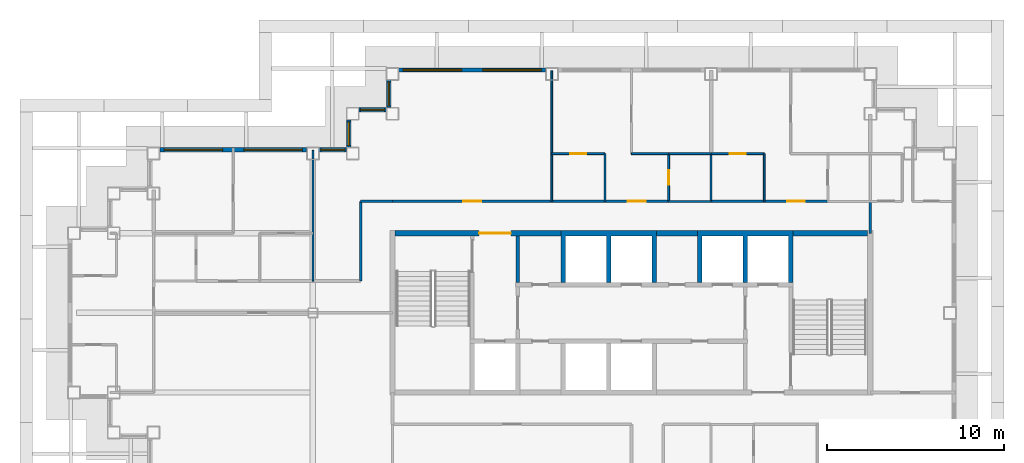
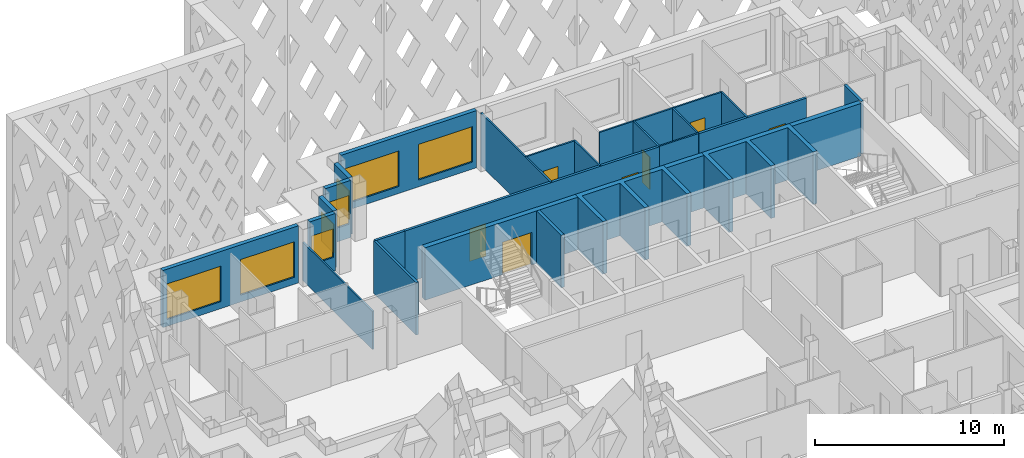
# One storey, part 6 of 17: 28 walls, 8 windows, 7 doors, 15 openings.
"""IFC4 building model written with IfcOpenShell, lengths in metres."""

from ifc_helpers import new_model, si_unit, direction, frame, frame_2d, origin, place, context, subcontext, project, spatial, polyline, rectangle, outline, extrude, material, layer, layer_set, type_object, element, fill, save


model = new_model("IFC4")

# Units and contexts
model_context = context("Model", 3, precision=1e-05, world=origin(), true_north=direction((0.0, 1.0)))
body_context = subcontext(model_context, "Body", "Model", "MODEL_VIEW")
ifc_project = project(units=[si_unit("LENGTHUNIT", "METRE"), si_unit("AREAUNIT", "SQUARE_METRE"), si_unit("VOLUMEUNIT", "CUBIC_METRE"), si_unit("PLANEANGLEUNIT", "RADIAN"), si_unit("MASSUNIT", "GRAM", prefix="KILO")], contexts=[model_context])

# Site, building, storey
site_placement = place(None, origin())
site = spatial("IfcSite", under=ifc_project, at=site_placement, CompositionType="ELEMENT")
building_placement = place(site_placement, origin())
building = spatial("IfcBuilding", under=site, at=building_placement, Name="Caravel Reach Hotel and Residences", CompositionType="ELEMENT")
storey_placement = place(building_placement, frame((0.0, 0.0, 192.39990234375)))
storey = spatial("IfcBuildingStorey", under=building, at=storey_placement, Name="L48", CompositionType="ELEMENT", Elevation=192.39990234375)

# Walls
ifc_material_1 = material(Name="Gypsum board on steel stud", Category="steel")
ifc_layer_1 = layer(ifc_material_1, 0.10009765625)
ifc_layer_set_1 = layer_set([ifc_layer_1], Name="Bathroom pod wall 100 mm")
wall_type_1 = type_object("IfcWallType", Name="Bathroom pod wall 100 mm", PredefinedType="PARTITIONING", material=ifc_layer_set_1)
for number, where, z_axis, x_axis, name in (
    (1, (33.60009765625, 33.300048828125, 0.0), (0.0, 0.0, 1.0), (1.0, 0.0, 0.0), "L48 wall w083"),
    (2, (33.60009765625, 36.0, 0.0), (0.0, 0.0, 1.0), (1.0, 0.0, 0.0), "L48 wall w086"),
):
    element("IfcWall", number, at=place(storey_placement, frame(where, z_axis=z_axis, x_axis=x_axis)), inside=storey, type_object=wall_type_1, Name=name, PredefinedType="PARTITIONING", context=body_context, shape_type="SweptSolid", body=[
        extrude(rectangle(XDim=2.39990234375, YDim=0.10009765625, at=frame_2d((1.199951171875, 0.0))), origin(), (0.0, 0.0, 1.0), 3.400146484375),
    ])

# Wall, opening, door
wall_1_placement = place(storey_placement, frame((33.60009765625, 33.300048828125, 0.0), z_axis=(0.0, 0.0, 1.0), x_axis=(0.0, 1.0, 0.0)))
wall_1 = element("IfcWall", 3, at=wall_1_placement, inside=storey, type_object=wall_type_1, Name="L48 wall w098", PredefinedType="PARTITIONING", context=body_context, shape_type="SweptSolid", body=[
    extrude(rectangle(XDim=2.699951171875, YDim=0.10009765625, at=frame_2d((1.35009765625, 0.0))), origin(), (0.0, 0.0, 1.0), 3.400146484375),
])
opening_1_placement = place(wall_1_placement, frame((0.949951171875, 0.0, 0.0)))
opening_1 = element("IfcOpeningElement", 4, at=opening_1_placement, cuts=wall_1, Name="Opening D48-019", PredefinedType="OPENING", context=body_context, shape_type="SweptSolid", body=[
    extrude(rectangle(XDim=0.800048828125, YDim=2.10009765625, at=frame_2d((0.39990234375, 1.050048828125))), frame((0.0, 0.06005859375, 0.0), z_axis=(0.0, -1.0, 0.0), x_axis=(1.0, 0.0, 0.0)), (0.0, 0.0, 1.0), 0.1201171875),
])
ifc_material_2 = material(Name="Timber and steel door leaf", Category="steel")
door_type_1 = type_object("IfcDoorType", Name="Bathroom door 800 x 2100", OperationType="SINGLE_SWING_LEFT", PredefinedType="DOOR", material=ifc_material_2)
door_1_placement = place(opening_1_placement, origin())
door_1 = element("IfcDoor", 5, at=door_1_placement, inside=storey, type_object=door_type_1, Name="door D48-019", OperationType="SINGLE_SWING_LEFT", OverallHeight=2.10009765625, OverallWidth=0.800048828125, PredefinedType="DOOR", context=body_context, shape_type="SweptSolid", body=[
    extrude(rectangle(XDim=0.800048828125, YDim=2.10009765625, at=frame_2d((0.39990234375, 1.050048828125))), frame((0.0, 0.02490234375, 0.0), z_axis=(0.0, -1.0, 0.0), x_axis=(1.0, 0.0, 0.0)), (0.0, 0.0, 1.0), 0.050048828125),
])
fill(opening_1, door_1)

# Walls
wall_2_placement = place(storey_placement, frame((36.0, 33.300048828125, 0.0), z_axis=(0.0, 0.0, 1.0), x_axis=(0.0, 1.0, 0.0)))
element("IfcWall", 6, at=wall_2_placement, inside=storey, type_object=wall_type_1, Name="L48 wall w099", PredefinedType="PARTITIONING", context=body_context, shape_type="SweptSolid", body=[
    extrude(rectangle(XDim=2.699951171875, YDim=0.10009765625, at=frame_2d((1.35009765625, 0.0))), origin(), (0.0, 0.0, 1.0), 3.400146484375),
])
ifc_material_3 = material(Name="Autoclaved aerated block wall")
ifc_layer_2 = layer(ifc_material_3, 0.199951171875)
ifc_layer_set_2 = layer_set([ifc_layer_2], Name="Compartment wall 200 mm EI 120")
wall_type_2 = type_object("IfcWallType", Name="Compartment wall 200 mm EI 120", PredefinedType="PARTITIONING", material=ifc_layer_set_2)
wall_3_placement = place(storey_placement, frame((25.071533203125, 28.72509765625, 0.0), z_axis=(0.0, 0.0, 1.0), x_axis=(0.0, 1.0, 0.0)))
element("IfcWall", 7, at=wall_3_placement, inside=storey, type_object=wall_type_2, Name="L48 store partition", PredefinedType="PARTITIONING", context=body_context, shape_type="SweptSolid", body=[
    extrude(rectangle(XDim=2.625, YDim=0.199951171875, at=frame_2d((1.3125, 0.0))), origin(), (0.0, 0.0, 1.0), 3.400146484375),
])

# Wall, opening, door
ifc_material_4 = material(Name="Concrete C60", Category="concrete")
ifc_layer_3 = layer(ifc_material_4, 0.300048828125)
ifc_layer_set_3 = layer_set([ifc_layer_3], Name="Core wall 300 mm EI 120")
wall_type_3 = type_object("IfcWallType", Name="Core wall 300 mm EI 120", PredefinedType="SHEAR", material=ifc_layer_set_3)
wall_4_placement = place(storey_placement, frame((18.14990234375, 31.5, 0.0), z_axis=(0.0, 0.0, 1.0), x_axis=(1.0, 0.0, 0.0)))
wall_4 = element("IfcWall", 8, at=wall_4_placement, inside=storey, type_object=wall_type_3, Name="L48 core wall N1", PredefinedType="SHEAR", context=body_context, shape_type="SweptSolid", body=[
    extrude(rectangle(XDim=9.367919921875, YDim=0.300048828125, at=frame_2d((4.68408203125, 0.0))), origin(), (0.0, 0.0, 1.0), 3.400146484375),
])
opening_2_placement = place(wall_4_placement, frame((4.735595703125, 0.0, 0.0)))
opening_2 = element("IfcOpeningElement", 9, at=opening_2_placement, cuts=wall_4, Name="Opening D48-014", PredefinedType="OPENING", context=body_context, shape_type="SweptSolid", body=[
    extrude(rectangle(XDim=1.800048828125, YDim=2.10009765625, at=frame_2d((0.89990234375, 1.050048828125))), frame((0.0, 0.159912109375, 0.0), z_axis=(0.0, -1.0, 0.0), x_axis=(1.0, 0.0, 0.0)), (0.0, 0.0, 1.0), 0.320068359375),
])
ifc_material_5 = material(Name="Steel fire door leaf", Category="steel")
door_type_2 = type_object("IfcDoorType", Name="Fire lobby door pair 1800 x 2100 EI 90", OperationType="DOUBLE_DOOR_SINGLE_SWING", PredefinedType="DOOR", material=ifc_material_5)
door_2_placement = place(opening_2_placement, origin())
door_2 = element("IfcDoor", 10, at=door_2_placement, inside=storey, type_object=door_type_2, Name="lobby N door pair to corridor", OperationType="DOUBLE_DOOR_SINGLE_SWING", OverallHeight=2.10009765625, OverallWidth=1.800048828125, PredefinedType="DOOR", context=body_context, shape_type="SweptSolid", body=[
    extrude(rectangle(XDim=1.800048828125, YDim=2.10009765625, at=frame_2d((0.89990234375, 1.050048828125))), frame((0.0, 0.02490234375, 0.0), z_axis=(0.0, -1.0, 0.0), x_axis=(1.0, 0.0, 0.0)), (0.0, 0.0, 1.0), 0.050048828125),
])
fill(opening_2, door_2)

# Walls
wall_5_placement = place(storey_placement, frame((32.91064453125, 31.5, 0.0), z_axis=(0.0, 0.0, 1.0), x_axis=(1.0, 0.0, 0.0)))
element("IfcWall", 11, at=wall_5_placement, inside=storey, type_object=wall_type_3, Name="L48 core wall N2", PredefinedType="SHEAR", context=body_context, shape_type="SweptSolid", body=[
    extrude(rectangle(XDim=2.321533203125, YDim=0.300048828125, at=frame_2d((1.16064453125, 0.0))), origin(), (0.0, 0.0, 1.0), 3.400146484375),
])
wall_6_placement = place(storey_placement, frame((40.625, 31.5, 0.0), z_axis=(0.0, 0.0, 1.0), x_axis=(1.0, 0.0, 0.0)))
element("IfcWall", 12, at=wall_6_placement, inside=storey, type_object=wall_type_3, Name="L48 core wall N3", PredefinedType="SHEAR", context=body_context, shape_type="SweptSolid", body=[
    extrude(rectangle(XDim=4.22509765625, YDim=0.300048828125, at=frame_2d((2.112548828125, 0.0))), origin(), (0.0, 0.0, 1.0), 3.400146484375),
])
ifc_material_6 = material(Name="Gypsum board on steel stud, fire-rated", Category="steel")
ifc_layer_4 = layer(ifc_material_6, 0.14990234375)
ifc_layer_set_4 = layer_set([ifc_layer_4], Name="Corridor wall 150 mm EI 60")
wall_type_4 = type_object("IfcWallType", Name="Corridor wall 150 mm EI 60", PredefinedType="PARTITIONING", material=ifc_layer_set_4)
wall_7_placement = place(storey_placement, frame((16.199951171875, 33.300048828125, 0.0), z_axis=(0.0, 0.0, 1.0), x_axis=(1.0, 0.0, 0.0)))
element("IfcWall", 13, at=wall_7_placement, inside=storey, type_object=wall_type_4, Name="L48 wall w011", PredefinedType="PARTITIONING", context=body_context, shape_type="SweptSolid", body=[
    extrude(rectangle(XDim=1.799072265625, YDim=0.14990234375, at=frame_2d((0.8994140625, 0.0))), origin(), (0.0, 0.0, 1.0), 3.400146484375),
])

# Wall, openings, doors
wall_8_placement = place(storey_placement, frame((18.0, 33.300048828125, 0.0), z_axis=(0.0, 0.0, 1.0), x_axis=(1.0, 0.0, 0.0)))
wall_8 = element("IfcWall", 14, at=wall_8_placement, inside=storey, type_object=wall_type_4, Name="L48 wall w012", PredefinedType="PARTITIONING", context=body_context, shape_type="SweptSolid", body=[
    extrude(rectangle(XDim=15.60009765625, YDim=0.14990234375, at=frame_2d((7.800048828125, 0.0))), origin(), (0.0, 0.0, 1.0), 3.400146484375),
])
opening_3_placement = place(wall_8_placement, frame((4.0, 0.0, 0.0)))
opening_3 = element("IfcOpeningElement", 15, at=opening_3_placement, cuts=wall_8, Name="Opening D48-016", PredefinedType="OPENING", context=body_context, shape_type="SweptSolid", body=[
    extrude(rectangle(XDim=1.0, YDim=2.10009765625, at=frame_2d((0.5, 1.050048828125))), frame((0.0, 0.0849609375, 0.0), z_axis=(0.0, -1.0, 0.0), x_axis=(1.0, 0.0, 0.0)), (0.0, 0.0, 1.0), 0.169921875),
])
opening_4_placement = place(wall_8_placement, frame((13.300048828125, 0.0, 0.0)))
opening_4 = element("IfcOpeningElement", 16, at=opening_4_placement, cuts=wall_8, Name="Opening D48-017", PredefinedType="OPENING", context=body_context, shape_type="SweptSolid", body=[
    extrude(rectangle(XDim=1.0, YDim=2.199951171875, at=frame_2d((0.5, 1.10009765625))), frame((0.0, 0.0849609375, 0.0), z_axis=(0.0, -1.0, 0.0), x_axis=(1.0, 0.0, 0.0)), (0.0, 0.0, 1.0), 0.169921875),
])
ifc_material_7 = material(Name="Steel fire door leaf", Category="steel")
door_type_3 = type_object("IfcDoorType", Name="Fire door 1000 x 2100 EI 60", OperationType="SINGLE_SWING_LEFT", PredefinedType="DOOR", material=ifc_material_7)
door_3_placement = place(opening_3_placement, origin())
door_3 = element("IfcDoor", 17, at=door_3_placement, inside=storey, type_object=door_type_3, Name="door D48-016", OperationType="SINGLE_SWING_LEFT", OverallHeight=2.10009765625, OverallWidth=1.0, PredefinedType="DOOR", context=body_context, shape_type="SweptSolid", body=[
    extrude(rectangle(XDim=1.0, YDim=2.10009765625, at=frame_2d((0.5, 1.050048828125))), frame((0.0, 0.02490234375, 0.0), z_axis=(0.0, -1.0, 0.0), x_axis=(1.0, 0.0, 0.0)), (0.0, 0.0, 1.0), 0.050048828125),
])
fill(opening_3, door_3)
ifc_material_8 = material(Name="Steel fire door leaf", Category="steel")
door_type_4 = type_object("IfcDoorType", Name="Flat entrance door 1000 x 2200 EI 60", OperationType="SINGLE_SWING_LEFT", PredefinedType="DOOR", material=ifc_material_8)
door_4_placement = place(opening_4_placement, origin())
door_4 = element("IfcDoor", 18, at=door_4_placement, inside=storey, type_object=door_type_4, Name="door D48-017", OperationType="SINGLE_SWING_RIGHT", OverallHeight=2.199951171875, OverallWidth=1.0, PredefinedType="DOOR", context=body_context, shape_type="SweptSolid", body=[
    extrude(rectangle(XDim=1.0, YDim=2.199951171875, at=frame_2d((0.5, 1.10009765625))), frame((0.0, 0.02490234375, 0.0), z_axis=(0.0, -1.0, 0.0), x_axis=(1.0, 0.0, 0.0)), (0.0, 0.0, 1.0), 0.050048828125),
])
fill(opening_4, door_4)

# Wall, opening, door
wall_9_placement = place(storey_placement, frame((36.0, 33.300048828125, 0.0), z_axis=(0.0, 0.0, 1.0), x_axis=(1.0, 0.0, 0.0)))
wall_9 = element("IfcWall", 19, at=wall_9_placement, inside=storey, type_object=wall_type_4, Name="L48 wall w016", PredefinedType="PARTITIONING", context=body_context, shape_type="SweptSolid", body=[
    extrude(rectangle(XDim=6.60009765625, YDim=0.14990234375, at=frame_2d((3.300048828125, 0.0))), origin(), (0.0, 0.0, 1.0), 3.400146484375),
])
opening_5_placement = place(wall_9_placement, frame((4.300048828125, 0.0, 0.0)))
opening_5 = element("IfcOpeningElement", 20, at=opening_5_placement, cuts=wall_9, Name="Opening D48-021", PredefinedType="OPENING", context=body_context, shape_type="SweptSolid", body=[
    extrude(rectangle(XDim=1.0, YDim=2.199951171875, at=frame_2d((0.5, 1.10009765625))), frame((0.0, 0.0849609375, 0.0), z_axis=(0.0, -1.0, 0.0), x_axis=(1.0, 0.0, 0.0)), (0.0, 0.0, 1.0), 0.169921875),
])
door_5_placement = place(opening_5_placement, origin())
door_5 = element("IfcDoor", 21, at=door_5_placement, inside=storey, type_object=door_type_4, Name="door D48-021", OperationType="SINGLE_SWING_LEFT", OverallHeight=2.199951171875, OverallWidth=1.0, PredefinedType="DOOR", context=body_context, shape_type="SweptSolid", body=[
    extrude(rectangle(XDim=1.0, YDim=2.199951171875, at=frame_2d((0.5, 1.10009765625))), frame((0.0, 0.02490234375, 0.0), z_axis=(0.0, -1.0, 0.0), x_axis=(1.0, 0.0, 0.0)), (0.0, 0.0, 1.0), 0.050048828125),
])
fill(opening_5, door_5)

# Walls
wall_10_placement = place(storey_placement, frame((16.199951171875, 28.801025390625, 0.0), z_axis=(0.0, 0.0, 1.0), x_axis=(0.0, 1.0, 0.0)))
element("IfcWall", 22, at=wall_10_placement, inside=storey, type_object=wall_type_4, Name="L48 wall w018", PredefinedType="PARTITIONING", context=body_context, shape_type="SweptSolid", body=[
    extrude(rectangle(XDim=4.4990234375, YDim=0.14990234375, at=frame_2d((2.24951171875, 0.0))), origin(), (0.0, 0.0, 1.0), 3.400146484375),
])
wall_11_placement = place(storey_placement, frame((45.0, 31.5, 0.0), z_axis=(0.0, 0.0, 1.0), x_axis=(0.0, 1.0, 0.0)))
element("IfcWall", 23, at=wall_11_placement, inside=storey, type_object=wall_type_4, Name="L48 wall w027", PredefinedType="PARTITIONING", context=body_context, shape_type="SweptSolid", body=[
    extrude(rectangle(XDim=1.800048828125, YDim=0.14990234375, at=frame_2d((0.89990234375, 0.0))), origin(), (0.0, 0.0, 1.0), 3.400146484375),
])

# Wall, openings, windows
ifc_material_9 = material(Name="Insulated rainscreen wall, aluminium cladding", Category="aluminium")
ifc_layer_5 = layer(ifc_material_9, 0.25)
ifc_layer_set_5 = layer_set([ifc_layer_5], Name="EW1 Tower rainscreen wall")
wall_type_5 = type_object("IfcWallType", Name="EW1 Tower rainscreen wall", PredefinedType="SOLIDWALL", material=ifc_layer_set_5)
wall_12_placement = place(storey_placement, frame((26.64990234375, 40.72509765625, 0.0), z_axis=(0.0, 0.0, 1.0), x_axis=(-1.0, 0.0, 0.0)))
wall_12 = element("IfcWall", 24, at=wall_12_placement, inside=storey, type_object=wall_type_5, Name="External wall L48 N11.3", PredefinedType="SOLIDWALL", context=body_context, shape_type="SweptSolid", body=[
    extrude(rectangle(XDim=8.2998046875, YDim=0.25, at=frame_2d((4.14990234375, 0.0))), origin(), (0.0, 0.0, 1.0), 3.7001953125),
])
opening_6_placement = place(wall_12_placement, frame((0.25, 0.0, 0.449951171875)))
opening_6 = element("IfcOpeningElement", 25, at=opening_6_placement, cuts=wall_12, Name="Opening WN15", PredefinedType="OPENING", context=body_context, shape_type="SweptSolid", body=[
    extrude(rectangle(XDim=3.300048828125, YDim=2.300048828125, at=frame_2d((1.64990234375, 1.14990234375))), frame((0.0, 0.135009765625, 0.0), z_axis=(0.0, -1.0, 0.0), x_axis=(1.0, 0.0, 0.0)), (0.0, 0.0, 1.0), 0.27001953125),
])
opening_7_placement = place(wall_12_placement, frame((4.75, 0.0, 0.449951171875)))
opening_7 = element("IfcOpeningElement", 26, at=opening_7_placement, cuts=wall_12, Name="Opening WN15", PredefinedType="OPENING", context=body_context, shape_type="SweptSolid", body=[
    extrude(rectangle(XDim=3.300048828125, YDim=2.300048828125, at=frame_2d((1.64990234375, 1.14990234375))), frame((0.0, 0.135009765625, 0.0), z_axis=(0.0, -1.0, 0.0), x_axis=(1.0, 0.0, 0.0)), (0.0, 0.0, 1.0), 0.27001953125),
])
ifc_material_10 = material(Name="Dark low-e glazing in black aluminium frame", Category="aluminium")
window_type_1 = type_object("IfcWindowType", Name="Residence living window 3300 x 2300", PartitioningType="SINGLE_PANEL", PredefinedType="WINDOW", material=ifc_material_10)
window_1_placement = place(opening_6_placement, origin())
window_1 = element("IfcWindow", 27, at=window_1_placement, inside=storey, type_object=window_type_1, Name="Window L48 N11.3.1", OverallHeight=2.300048828125, OverallWidth=3.300048828125, PartitioningType="SINGLE_PANEL", PredefinedType="WINDOW", context=body_context, shape_type="SweptSolid", body=[
    extrude(rectangle(XDim=3.300048828125, YDim=2.300048828125, at=frame_2d((1.64990234375, 1.14990234375))), frame((0.0, 0.030029296875, 0.0), z_axis=(0.0, -1.0, 0.0), x_axis=(1.0, 0.0, 0.0)), (0.0, 0.0, 1.0), 0.06005859375),
])
fill(opening_6, window_1)
window_2_placement = place(opening_7_placement, origin())
window_2 = element("IfcWindow", 28, at=window_2_placement, inside=storey, type_object=window_type_1, Name="Window L48 N11.3.2", OverallHeight=2.300048828125, OverallWidth=3.300048828125, PartitioningType="SINGLE_PANEL", PredefinedType="WINDOW", context=body_context, shape_type="SweptSolid", body=[
    extrude(rectangle(XDim=3.300048828125, YDim=2.300048828125, at=frame_2d((1.64990234375, 1.14990234375))), frame((0.0, 0.030029296875, 0.0), z_axis=(0.0, -1.0, 0.0), x_axis=(1.0, 0.0, 0.0)), (0.0, 0.0, 1.0), 0.06005859375),
])
fill(opening_7, window_2)

# Wall, opening, window
wall_13_placement = place(storey_placement, frame((17.77490234375, 40.14990234375, 0.0), z_axis=(0.0, 0.0, 1.0), x_axis=(0.0, -1.0, 0.0)))
wall_13 = element("IfcWall", 29, at=wall_13_placement, inside=storey, type_object=wall_type_5, Name="External wall L48 W12.1", PredefinedType="SOLIDWALL", context=body_context, shape_type="SweptSolid", body=[
    extrude(rectangle(XDim=1.5498046875, YDim=0.25, at=frame_2d((0.77490234375, 0.0))), origin(), (0.0, 0.0, 1.0), 3.7001953125),
])
opening_8_placement = place(wall_13_placement, frame((0.10009765625, 0.0, 0.89990234375)))
opening_8 = element("IfcOpeningElement", 30, at=opening_8_placement, cuts=wall_13, Name="Opening WN21", PredefinedType="OPENING", context=body_context, shape_type="SweptSolid", body=[
    extrude(rectangle(XDim=1.35009765625, YDim=1.85009765625, at=frame_2d((0.675048828125, 0.925048828125))), frame((0.0, 0.135009765625, 0.0), z_axis=(0.0, -1.0, 0.0), x_axis=(1.0, 0.0, 0.0)), (0.0, 0.0, 1.0), 0.27001953125),
])
ifc_material_11 = material(Name="Dark low-e glazing in black aluminium frame", Category="aluminium")
window_type_2 = type_object("IfcWindowType", Name="Residence bedroom window 1350 x 1850", PartitioningType="SINGLE_PANEL", PredefinedType="WINDOW", material=ifc_material_11)
window_3_placement = place(opening_8_placement, origin())
window_3 = element("IfcWindow", 31, at=window_3_placement, inside=storey, type_object=window_type_2, Name="Window L48 W12.1.1", OverallHeight=1.85009765625, OverallWidth=1.35009765625, PartitioningType="SINGLE_PANEL", PredefinedType="WINDOW", context=body_context, shape_type="SweptSolid", body=[
    extrude(rectangle(XDim=1.35009765625, YDim=1.85009765625, at=frame_2d((0.675048828125, 0.925048828125))), frame((0.0, 0.030029296875, 0.0), z_axis=(0.0, -1.0, 0.0), x_axis=(1.0, 0.0, 0.0)), (0.0, 0.0, 1.0), 0.06005859375),
])
fill(opening_8, window_3)

wall_14_placement = place(storey_placement, frame((17.64990234375, 38.47509765625, 0.0), z_axis=(0.0, 0.0, 1.0), x_axis=(-1.0, 0.0, 0.0)))
wall_14 = element("IfcWall", 32, at=wall_14_placement, inside=storey, type_object=wall_type_5, Name="External wall L48 N13.1", PredefinedType="SOLIDWALL", context=body_context, shape_type="SweptSolid", body=[
    extrude(rectangle(XDim=1.5498046875, YDim=0.25, at=frame_2d((0.77490234375, 0.0))), origin(), (0.0, 0.0, 1.0), 3.7001953125),
])
opening_9_placement = place(wall_14_placement, frame((0.10009765625, 0.0, 0.89990234375)))
opening_9 = element("IfcOpeningElement", 33, at=opening_9_placement, cuts=wall_14, Name="Opening WN21", PredefinedType="OPENING", context=body_context, shape_type="SweptSolid", body=[
    extrude(rectangle(XDim=1.35009765625, YDim=1.85009765625, at=frame_2d((0.675048828125, 0.925048828125))), frame((0.0, 0.135009765625, 0.0), z_axis=(0.0, -1.0, 0.0), x_axis=(1.0, 0.0, 0.0)), (0.0, 0.0, 1.0), 0.27001953125),
])
window_4_placement = place(opening_9_placement, origin())
window_4 = element("IfcWindow", 34, at=window_4_placement, inside=storey, type_object=window_type_2, Name="Window L48 N13.1.1", OverallHeight=1.85009765625, OverallWidth=1.35009765625, PartitioningType="SINGLE_PANEL", PredefinedType="WINDOW", context=body_context, shape_type="SweptSolid", body=[
    extrude(rectangle(XDim=1.35009765625, YDim=1.85009765625, at=frame_2d((0.675048828125, 0.925048828125))), frame((0.0, 0.030029296875, 0.0), z_axis=(0.0, -1.0, 0.0), x_axis=(1.0, 0.0, 0.0)), (0.0, 0.0, 1.0), 0.06005859375),
])
fill(opening_9, window_4)

wall_15_placement = place(storey_placement, frame((15.52490234375, 37.89990234375, 0.0), z_axis=(0.0, 0.0, 1.0), x_axis=(0.0, -1.0, 0.0)))
wall_15 = element("IfcWall", 35, at=wall_15_placement, inside=storey, type_object=wall_type_5, Name="External wall L48 W14.1", PredefinedType="SOLIDWALL", context=body_context, shape_type="SweptSolid", body=[
    extrude(rectangle(XDim=1.5498046875, YDim=0.25, at=frame_2d((0.77490234375, 0.0))), origin(), (0.0, 0.0, 1.0), 3.7001953125),
])
opening_10_placement = place(wall_15_placement, frame((0.10009765625, 0.0, 0.89990234375)))
opening_10 = element("IfcOpeningElement", 36, at=opening_10_placement, cuts=wall_15, Name="Opening WN21", PredefinedType="OPENING", context=body_context, shape_type="SweptSolid", body=[
    extrude(rectangle(XDim=1.35009765625, YDim=1.85009765625, at=frame_2d((0.675048828125, 0.925048828125))), frame((0.0, 0.135009765625, 0.0), z_axis=(0.0, -1.0, 0.0), x_axis=(1.0, 0.0, 0.0)), (0.0, 0.0, 1.0), 0.27001953125),
])
window_5_placement = place(opening_10_placement, origin())
window_5 = element("IfcWindow", 37, at=window_5_placement, inside=storey, type_object=window_type_2, Name="Window L48 W14.1.1", OverallHeight=1.85009765625, OverallWidth=1.35009765625, PartitioningType="SINGLE_PANEL", PredefinedType="WINDOW", context=body_context, shape_type="SweptSolid", body=[
    extrude(rectangle(XDim=1.35009765625, YDim=1.85009765625, at=frame_2d((0.675048828125, 0.925048828125))), frame((0.0, 0.030029296875, 0.0), z_axis=(0.0, -1.0, 0.0), x_axis=(1.0, 0.0, 0.0)), (0.0, 0.0, 1.0), 0.06005859375),
])
fill(opening_10, window_5)

wall_16_placement = place(storey_placement, frame((15.39990234375, 36.22509765625, 0.0), z_axis=(0.0, 0.0, 1.0), x_axis=(-1.0, 0.0, 0.0)))
wall_16 = element("IfcWall", 38, at=wall_16_placement, inside=storey, type_object=wall_type_5, Name="External wall L48 N15.1", PredefinedType="SOLIDWALL", context=body_context, shape_type="SweptSolid", body=[
    extrude(rectangle(XDim=1.5498046875, YDim=0.25, at=frame_2d((0.77490234375, 0.0))), origin(), (0.0, 0.0, 1.0), 3.7001953125),
])
opening_11_placement = place(wall_16_placement, frame((0.10009765625, 0.0, 0.89990234375)))
opening_11 = element("IfcOpeningElement", 39, at=opening_11_placement, cuts=wall_16, Name="Opening WN21", PredefinedType="OPENING", context=body_context, shape_type="SweptSolid", body=[
    extrude(rectangle(XDim=1.35009765625, YDim=1.85009765625, at=frame_2d((0.675048828125, 0.925048828125))), frame((0.0, 0.135009765625, 0.0), z_axis=(0.0, -1.0, 0.0), x_axis=(1.0, 0.0, 0.0)), (0.0, 0.0, 1.0), 0.27001953125),
])
window_6_placement = place(opening_11_placement, origin())
window_6 = element("IfcWindow", 40, at=window_6_placement, inside=storey, type_object=window_type_2, Name="Window L48 N15.1.1", OverallHeight=1.85009765625, OverallWidth=1.35009765625, PartitioningType="SINGLE_PANEL", PredefinedType="WINDOW", context=body_context, shape_type="SweptSolid", body=[
    extrude(rectangle(XDim=1.35009765625, YDim=1.85009765625, at=frame_2d((0.675048828125, 0.925048828125))), frame((0.0, 0.030029296875, 0.0), z_axis=(0.0, -1.0, 0.0), x_axis=(1.0, 0.0, 0.0)), (0.0, 0.0, 1.0), 0.06005859375),
])
fill(opening_11, window_6)

# Wall, openings, windows
wall_17_placement = place(storey_placement, frame((13.14990234375, 36.22509765625, 0.0), z_axis=(0.0, 0.0, 1.0), x_axis=(-1.0, 0.0, 0.0)))
wall_17 = element("IfcWall", 41, at=wall_17_placement, inside=storey, type_object=wall_type_5, Name="External wall L48 N15.2", PredefinedType="SOLIDWALL", context=body_context, shape_type="SweptSolid", body=[
    extrude(rectangle(XDim=8.2998046875, YDim=0.25, at=frame_2d((4.14990234375, 0.0))), origin(), (0.0, 0.0, 1.0), 3.7001953125),
])
opening_12_placement = place(wall_17_placement, frame((0.25, 0.0, 0.449951171875)))
opening_12 = element("IfcOpeningElement", 42, at=opening_12_placement, cuts=wall_17, Name="Opening WN15", PredefinedType="OPENING", context=body_context, shape_type="SweptSolid", body=[
    extrude(rectangle(XDim=3.300048828125, YDim=2.300048828125, at=frame_2d((1.64990234375, 1.14990234375))), frame((0.0, 0.135009765625, 0.0), z_axis=(0.0, -1.0, 0.0), x_axis=(1.0, 0.0, 0.0)), (0.0, 0.0, 1.0), 0.27001953125),
])
opening_13_placement = place(wall_17_placement, frame((4.75, 0.0, 0.449951171875)))
opening_13 = element("IfcOpeningElement", 43, at=opening_13_placement, cuts=wall_17, Name="Opening WN15", PredefinedType="OPENING", context=body_context, shape_type="SweptSolid", body=[
    extrude(rectangle(XDim=3.300048828125, YDim=2.300048828125, at=frame_2d((1.64990234375, 1.14990234375))), frame((0.0, 0.135009765625, 0.0), z_axis=(0.0, -1.0, 0.0), x_axis=(1.0, 0.0, 0.0)), (0.0, 0.0, 1.0), 0.27001953125),
])
window_7_placement = place(opening_12_placement, origin())
window_7 = element("IfcWindow", 44, at=window_7_placement, inside=storey, type_object=window_type_1, Name="Window L48 N15.2.1", OverallHeight=2.300048828125, OverallWidth=3.300048828125, PartitioningType="SINGLE_PANEL", PredefinedType="WINDOW", context=body_context, shape_type="SweptSolid", body=[
    extrude(rectangle(XDim=3.300048828125, YDim=2.300048828125, at=frame_2d((1.64990234375, 1.14990234375))), frame((0.0, 0.030029296875, 0.0), z_axis=(0.0, -1.0, 0.0), x_axis=(1.0, 0.0, 0.0)), (0.0, 0.0, 1.0), 0.06005859375),
])
fill(opening_12, window_7)
window_8_placement = place(opening_13_placement, origin())
window_8 = element("IfcWindow", 45, at=window_8_placement, inside=storey, type_object=window_type_1, Name="Window L48 N15.2.2", OverallHeight=2.300048828125, OverallWidth=3.300048828125, PartitioningType="SINGLE_PANEL", PredefinedType="WINDOW", context=body_context, shape_type="SweptSolid", body=[
    extrude(rectangle(XDim=3.300048828125, YDim=2.300048828125, at=frame_2d((1.64990234375, 1.14990234375))), frame((0.0, 0.030029296875, 0.0), z_axis=(0.0, -1.0, 0.0), x_axis=(1.0, 0.0, 0.0)), (0.0, 0.0, 1.0), 0.06005859375),
])
fill(opening_13, window_8)

# Wall
ifc_material_12 = material(Name="Gypsum board on steel stud", Category="steel")
ifc_layer_6 = layer(ifc_material_12, 0.10009765625)
ifc_layer_set_6 = layer_set([ifc_layer_6], Name="Partition 100 mm")
wall_type_6 = type_object("IfcWallType", Name="Partition 100 mm", PredefinedType="PARTITIONING", material=ifc_layer_set_6)
wall_18_placement = place(storey_placement, frame((31.5, 36.0, 0.0), z_axis=(0.0, 0.0, 1.0), x_axis=(1.0, 0.0, 0.0)))
element("IfcWall", 46, at=wall_18_placement, inside=storey, type_object=wall_type_6, Name="L48 wall w040", PredefinedType="PARTITIONING", context=body_context, shape_type="SweptSolid", body=[
    extrude(rectangle(XDim=2.10009765625, YDim=0.10009765625, at=frame_2d((1.050048828125, 0.0))), origin(), (0.0, 0.0, 1.0), 3.400146484375),
])

# Wall, opening, door
wall_19_placement = place(storey_placement, frame((27.0, 36.0, 0.0), z_axis=(0.0, 0.0, 1.0), x_axis=(1.0, 0.0, 0.0)))
wall_19 = element("IfcWall", 47, at=wall_19_placement, inside=storey, type_object=wall_type_6, Name="L48 wall w041", PredefinedType="PARTITIONING", context=body_context, shape_type="SweptSolid", body=[
    extrude(rectangle(XDim=3.0, YDim=0.10009765625, at=frame_2d((1.5, 0.0))), origin(), (0.0, 0.0, 1.0), 3.400146484375),
])
opening_14_placement = place(wall_19_placement, frame((1.050048828125, 0.0, 0.0)))
opening_14 = element("IfcOpeningElement", 48, at=opening_14_placement, cuts=wall_19, Name="Opening D48-018", PredefinedType="OPENING", context=body_context, shape_type="SweptSolid", body=[
    extrude(rectangle(XDim=0.89990234375, YDim=2.10009765625, at=frame_2d((0.449951171875, 1.050048828125))), frame((0.0, 0.06005859375, 0.0), z_axis=(0.0, -1.0, 0.0), x_axis=(1.0, 0.0, 0.0)), (0.0, 0.0, 1.0), 0.1201171875),
])
ifc_material_13 = material(Name="Timber and steel door leaf", Category="steel")
door_type_5 = type_object("IfcDoorType", Name="Door 900 x 2100 timber", OperationType="SINGLE_SWING_LEFT", PredefinedType="DOOR", material=ifc_material_13)
door_6_placement = place(opening_14_placement, origin())
door_6 = element("IfcDoor", 49, at=door_6_placement, inside=storey, type_object=door_type_5, Name="door D48-018", OperationType="SINGLE_SWING_LEFT", OverallHeight=2.10009765625, OverallWidth=0.89990234375, PredefinedType="DOOR", context=body_context, shape_type="SweptSolid", body=[
    extrude(rectangle(XDim=0.89990234375, YDim=2.10009765625, at=frame_2d((0.449951171875, 1.050048828125))), frame((0.0, 0.02490234375, 0.0), z_axis=(0.0, -1.0, 0.0), x_axis=(1.0, 0.0, 0.0)), (0.0, 0.0, 1.0), 0.050048828125),
])
fill(opening_14, door_6)

wall_20_placement = place(storey_placement, frame((36.0, 36.0, 0.0), z_axis=(0.0, 0.0, 1.0), x_axis=(1.0, 0.0, 0.0)))
wall_20 = element("IfcWall", 50, at=wall_20_placement, inside=storey, type_object=wall_type_6, Name="L48 wall w043", PredefinedType="PARTITIONING", context=body_context, shape_type="SweptSolid", body=[
    extrude(rectangle(XDim=3.0, YDim=0.10009765625, at=frame_2d((1.5, 0.0))), origin(), (0.0, 0.0, 1.0), 3.400146484375),
])
opening_15_placement = place(wall_20_placement, frame((1.050048828125, 0.0, 0.0)))
opening_15 = element("IfcOpeningElement", 51, at=opening_15_placement, cuts=wall_20, Name="Opening D48-022", PredefinedType="OPENING", context=body_context, shape_type="SweptSolid", body=[
    extrude(rectangle(XDim=0.89990234375, YDim=2.10009765625, at=frame_2d((0.449951171875, 1.050048828125))), frame((0.0, 0.06005859375, 0.0), z_axis=(0.0, -1.0, 0.0), x_axis=(1.0, 0.0, 0.0)), (0.0, 0.0, 1.0), 0.1201171875),
])
door_7_placement = place(opening_15_placement, origin())
door_7 = element("IfcDoor", 52, at=door_7_placement, inside=storey, type_object=door_type_5, Name="door D48-022", OperationType="SINGLE_SWING_LEFT", OverallHeight=2.10009765625, OverallWidth=0.89990234375, PredefinedType="DOOR", context=body_context, shape_type="SweptSolid", body=[
    extrude(rectangle(XDim=0.89990234375, YDim=2.10009765625, at=frame_2d((0.449951171875, 1.050048828125))), frame((0.0, 0.02490234375, 0.0), z_axis=(0.0, -1.0, 0.0), x_axis=(1.0, 0.0, 0.0)), (0.0, 0.0, 1.0), 0.050048828125),
])
fill(opening_15, door_7)

# Walls
wall_21_placement = place(storey_placement, frame((13.5, 28.801025390625, 0.0), z_axis=(0.0, 0.0, 1.0), x_axis=(0.0, 1.0, 0.0)))
element("IfcWall", 53, at=wall_21_placement, inside=storey, type_object=wall_type_6, Name="L48 wall w049", PredefinedType="PARTITIONING", context=body_context, shape_type="SweptSolid", body=[
    extrude(rectangle(XDim=7.388916015625, YDim=0.10009765625, at=frame_2d((3.6943359375, 0.0))), origin(), (0.0, 0.0, 1.0), 2.47998046875),
])
wall_22_placement = place(storey_placement, frame((27.0, 33.300048828125, 0.0), z_axis=(0.0, 0.0, 1.0), x_axis=(0.0, 1.0, 0.0)))
element("IfcWall", 54, at=wall_22_placement, inside=storey, type_object=wall_type_6, Name="L48 wall w054", PredefinedType="PARTITIONING", context=body_context, shape_type="SweptSolid", body=[
    extrude(rectangle(XDim=7.389892578125, YDim=0.10009765625, at=frame_2d((3.69482421875, 0.0))), origin(), (0.0, 0.0, 1.0), 3.400146484375),
])
for number, where, z_axis, x_axis, name in (
    (55, (30.0, 33.300048828125, 0.0), (0.0, 0.0, 1.0), (0.0, 1.0, 0.0), "L48 wall w057"),
    (56, (39.0, 33.300048828125, 0.0), (0.0, 0.0, 1.0), (0.0, 1.0, 0.0), "L48 wall w063"),
):
    element("IfcWall", number, at=place(storey_placement, frame(where, z_axis=z_axis, x_axis=x_axis)), inside=storey, type_object=wall_type_6, Name=name, PredefinedType="PARTITIONING", context=body_context, shape_type="SweptSolid", body=[
        extrude(rectangle(XDim=2.699951171875, YDim=0.10009765625, at=frame_2d((1.35009765625, 0.0))), origin(), (0.0, 0.0, 1.0), 3.400146484375),
    ])
ifc_material_14 = material(Name="Concrete C60", Category="concrete")
ifc_layer_7 = layer(ifc_material_14, 0.25)
ifc_layer_set_7 = layer_set([ifc_layer_7], Name="Shaft wall 250 mm EI 120")
wall_type_7 = type_object("IfcWallType", Name="Shaft wall 250 mm EI 120", PredefinedType="SHEAR", material=ifc_layer_set_7)
wall_23_placement = place(storey_placement, origin())
element("IfcWall", 57, at=wall_23_placement, inside=storey, type_object=wall_type_7, Name="L48 lift shaft wall N1", PredefinedType="SHEAR", context=body_context, shape_type="SweptSolid", body=[
    extrude(outline(polyline([(27.517822265625, 28.72509765625), (27.767822265625, 28.72509765625), (27.767822265625, 31.35009765625), (30.08935546875, 31.35009765625), (30.08935546875, 28.72509765625), (30.33935546875, 28.72509765625), (30.33935546875, 31.35009765625), (32.66064453125, 31.35009765625), (32.66064453125, 28.72509765625), (32.91064453125, 28.72509765625), (32.91064453125, 31.64990234375), (27.517822265625, 31.64990234375), (27.517822265625, 28.72509765625)])), origin(), (0.0, 0.0, 1.0), 3.400146484375),
])
wall_24_placement = place(storey_placement, origin())
element("IfcWall", 58, at=wall_24_placement, inside=storey, type_object=wall_type_7, Name="L48 lift shaft wall N2", PredefinedType="SHEAR", context=body_context, shape_type="SweptSolid", body=[
    extrude(outline(polyline([(35.232177734375, 28.72509765625), (35.482177734375, 28.72509765625), (35.482177734375, 31.35009765625), (37.803466796875, 31.35009765625), (37.803466796875, 28.72509765625), (38.053466796875, 28.72509765625), (38.053466796875, 31.35009765625), (40.375, 31.35009765625), (40.375, 28.72509765625), (40.625, 28.72509765625), (40.625, 31.64990234375), (35.232177734375, 31.64990234375), (35.232177734375, 28.72509765625)])), origin(), (0.0, 0.0, 1.0), 3.400146484375),
])

save(model, "model.ifc")
